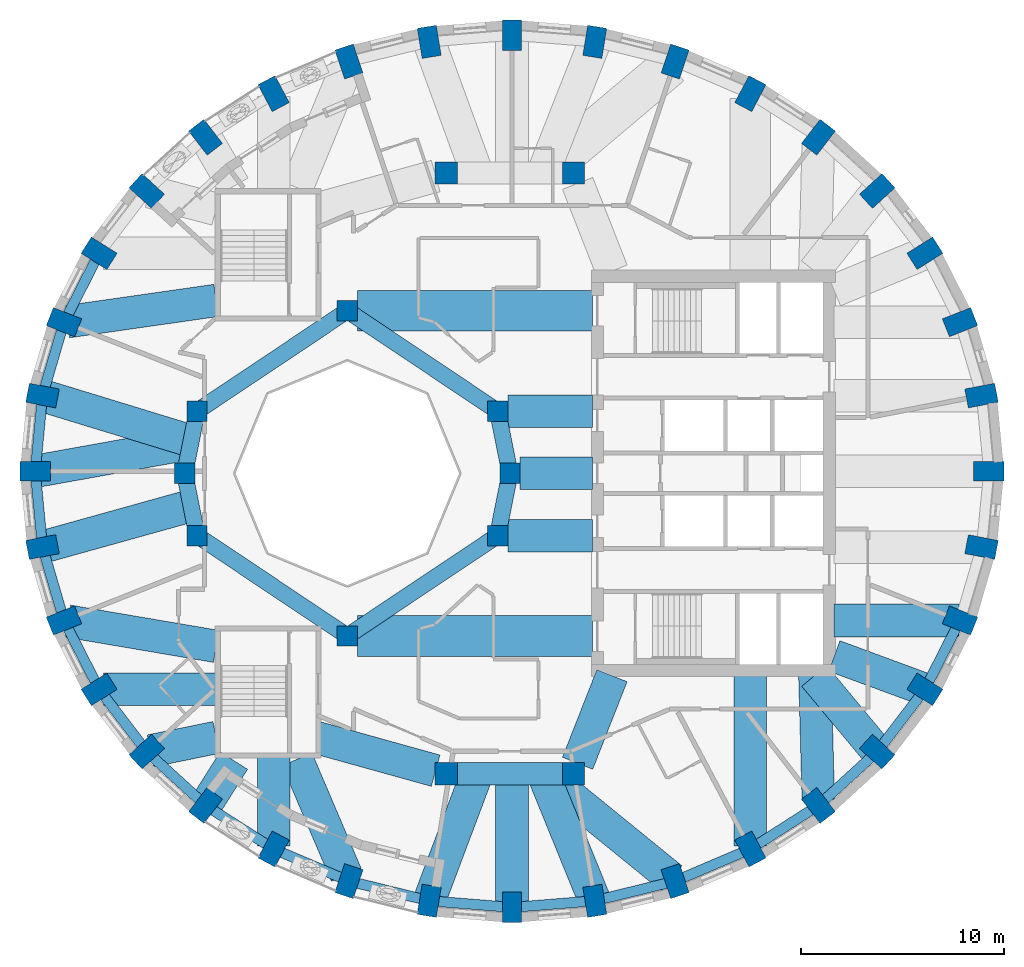
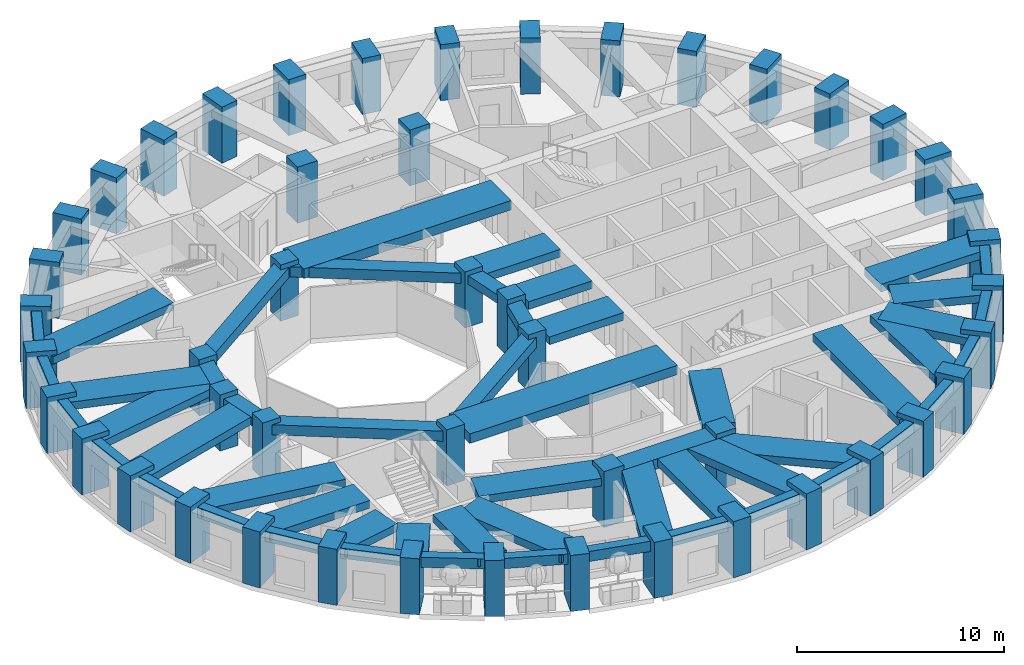
# One storey, part 1 of 12: 54 beams, 48 columns.
"""IFC4 building model written with IfcOpenShell, lengths in metres."""

from ifc_helpers import new_model, si_unit, direction, frame, origin, origin_2d, place, context, subcontext, project, spatial, rectangle, extrude, material, material_profile, profile_set, type_object, element, save


model = new_model("IFC4")

# Units and contexts
model_context = context("Model", 3, precision=1e-05, world=origin(), true_north=direction((0.0, 1.0)))
body_context = subcontext(model_context, "Body", "Model", "MODEL_VIEW")
ifc_project = project(units=[si_unit("LENGTHUNIT", "METRE"), si_unit("AREAUNIT", "SQUARE_METRE"), si_unit("VOLUMEUNIT", "CUBIC_METRE"), si_unit("PLANEANGLEUNIT", "RADIAN"), si_unit("MASSUNIT", "GRAM", prefix="KILO")], contexts=[model_context])

# Site, building, storey
site_placement = place(None, origin())
site = spatial("IfcSite", under=ifc_project, at=site_placement, CompositionType="ELEMENT")
building_placement = place(site_placement, origin())
building = spatial("IfcBuilding", under=site, at=building_placement, Name="Taillehof Tower", CompositionType="ELEMENT")
storey_placement = place(building_placement, frame((0.0, 0.0, 171.5)))
storey = spatial("IfcBuildingStorey", under=building, at=storey_placement, Name="L48", CompositionType="ELEMENT", Elevation=171.5)

# Columns
ifc_material_1 = material(Name="Concrete C50/60", Category="concrete")
ifc_material_profile_1 = material_profile(ifc_material_1, rectangle(XDim=1.0, YDim=1.0, at=origin_2d()), Name="RC 1000x1000")
ifc_profile_set_1 = profile_set([ifc_material_profile_1], Name="Concrete C50/60")
column_type_1 = type_object("IfcColumnType", Name="Atrium ring column C50/60 1000x1000", PredefinedType="COLUMN", material=ifc_profile_set_1)
for number, where, z_axis, x_axis, name in (
    (1, (0.0, 0.0, 0.0), (0.0, 0.0, 1.0), (1.0, 0.0, 0.0), "Column AC01"),
    (2, (-0.60888671875, 3.0615234375, 0.0), (0.0, 0.0, 1.0), (1.0, 0.0, 0.0), "Column AC02"),
    (3, (-8.0, 8.0, 0.0), (0.0, 0.0, 1.0), (1.0, 0.0, 0.0), "Column AC05"),
    (4, (-15.39111328125, 3.0615234375, 0.0), (0.0, 0.0, 1.0), (1.0, 0.0, 0.0), "Column AC08"),
    (5, (-16.0, 0.0, 0.0), (0.0, 0.0, 1.0), (1.0, 0.0, 0.0), "Column AC09"),
    (6, (-15.39111328125, -3.0615234375, 0.0), (0.0, 0.0, 1.0), (1.0, 0.0, 0.0), "Column AC10"),
    (7, (-8.0, -8.0, 0.0), (0.0, 0.0, 1.0), (1.0, 0.0, 0.0), "Column AC13"),
    (8, (-0.60888671875, -3.0615234375, 0.0), (0.0, 0.0, 1.0), (1.0, 0.0, 0.0), "Column AC16"),
):
    element("IfcColumn", number, at=place(storey_placement, frame(where, z_axis=z_axis, x_axis=x_axis)), inside=storey, type_object=column_type_1, Name=name, PredefinedType="COLUMN", context=body_context, shape_type="SweptSolid", body=[
        extrude(rectangle(XDim=1.0, YDim=1.0, at=origin_2d()), origin(), (0.0, 0.0, 1.0), 3.300048828125),
    ])
ifc_material_2 = material(Name="Concrete C50/60", Category="concrete")
ifc_material_profile_2 = material_profile(ifc_material_2, rectangle(XDim=1.10009765625, YDim=1.10009765625, at=origin_2d()), Name="RC 1100x1100")
ifc_profile_set_2 = profile_set([ifc_material_profile_2], Name="Concrete C50/60")
column_type_2 = type_object("IfcColumnType", Name="Mid-ring column C50/60 1100x1100", PredefinedType="COLUMN", material=ifc_profile_set_2)
for number, where, z_axis, x_axis, name in (
    (9, (3.125732421875, 14.772216796875, 0.0), (0.0, 0.0, 1.0), (1.0, 0.0, 0.0), "Column MC05"),
    (10, (-3.125732421875, 14.772216796875, 0.0), (0.0, 0.0, 1.0), (1.0, 0.0, 0.0), "Column MC06"),
    (11, (-3.125732421875, -14.772216796875, 0.0), (0.0, 0.0, 1.0), (1.0, 0.0, 0.0), "Column MC14"),
    (12, (3.125732421875, -14.772216796875, 0.0), (0.0, 0.0, 1.0), (1.0, 0.0, 0.0), "Column MC15"),
):
    element("IfcColumn", number, at=place(storey_placement, frame(where, z_axis=z_axis, x_axis=x_axis)), inside=storey, type_object=column_type_2, Name=name, PredefinedType="COLUMN", context=body_context, shape_type="SweptSolid", body=[
        extrude(rectangle(XDim=1.10009765625, YDim=1.10009765625, at=origin_2d()), origin(), (0.0, 0.0, 1.0), 3.300048828125),
    ])
ifc_material_3 = material(Name="Concrete C60/75", Category="concrete")
ifc_material_profile_3 = material_profile(ifc_material_3, rectangle(XDim=1.5, YDim=0.949951171875, at=origin_2d()), Name="RC 1500x950")
ifc_profile_set_3 = profile_set([ifc_material_profile_3], Name="Concrete C60/75")
column_type_3 = type_object("IfcColumnType", Name="Ring column C60/75 1500x950", PredefinedType="COLUMN", material=ifc_profile_set_3)
for number, where, z_axis, x_axis, name in (
    (13, (23.550048828125, 0.10009765625, 0.0), (0.0, 0.0, 1.0), (1.0, 0.0, 0.0), "Ring column RC01"),
    (14, (23.19384765625, 3.82470703125, 0.0), (0.0, 0.0, 1.0), (0.98202380309, 0.188757119508, 0.0), "Ring column RC02"),
    (15, (22.1357421875, 7.436279296875, 0.0), (0.0, 0.0, 1.0), (0.929511471762, 0.368793199317, 0.0), "Ring column RC03"),
    (16, (20.408203125, 10.824951171875, 0.0), (0.0, 0.0, 1.0), (0.846334224225, 0.532652213837, 0.0), "Ring column RC04"),
    (17, (18.063720703125, 13.8876953125, 0.0), (0.0, 0.0, 1.0), (0.7378786352, 0.674933418727, 0.0), "Ring column RC05"),
    (18, (15.17333984375, 16.53173828125, 0.0), (0.0, 0.0, 1.0), (0.609970500644, 0.792424121506, 0.0), "Ring column RC06"),
    (19, (11.824951171875, 18.67626953125, 0.0), (0.0, 0.0, 1.0), (0.468042101717, 0.883706167807, 0.0), "Ring column RC07"),
    (20, (8.120361328125, 20.25634765625, 0.0), (0.0, 0.0, 1.0), (0.316702950283, 0.948524771043, 0.0), "Ring column RC08"),
    (21, (4.172119140625, 21.22412109375, 0.0), (0.0, 0.0, 1.0), (0.159679090777, 0.987168976401, 0.0), "Ring column RC09"),
    (22, (0.10009765625, 21.550048828125, 0.0), (0.0, 0.0, 1.0), (0.0, 1.0, 0.0), "Ring column RC10"),
    (23, (-3.97216796875, 21.22412109375, 0.0), (0.0, 0.0, 1.0), (-0.159679090777, 0.987168976401, 0.0), "Ring column RC11"),
    (24, (-7.92041015625, 20.25634765625, 0.0), (0.0, 0.0, 1.0), (-0.316702950283, 0.948524771043, 0.0), "Ring column RC12"),
    (25, (-11.625, 18.67626953125, 0.0), (0.0, 0.0, 1.0), (-0.468042101717, 0.883706167807, 0.0), "Ring column RC13"),
    (26, (-14.973388671875, 16.53173828125, 0.0), (0.0, 0.0, 1.0), (-0.609970500644, 0.792424121506, 0.0), "Ring column RC14"),
    (27, (-17.86376953125, 13.8876953125, 0.0), (0.0, 0.0, 1.0), (-0.7378786352, 0.674933418727, 0.0), "Ring column RC15"),
    (28, (-20.208251953125, 10.824951171875, 0.0), (0.0, 0.0, 1.0), (-0.846334224225, 0.532652213837, 0.0), "Ring column RC16"),
    (29, (-21.935791015625, 7.436279296875, 0.0), (0.0, 0.0, 1.0), (-0.929511471762, 0.368793199317, 0.0), "Ring column RC17"),
    (30, (-22.99365234375, 3.82470703125, 0.0), (0.0, 0.0, 1.0), (-0.98202380309, 0.188757119508, 0.0), "Ring column RC18"),
    (31, (-23.35009765625, 0.10009765625, 0.0), (0.0, 0.0, 1.0), (-1.0, 0.0, 0.0), "Ring column RC19"),
    (32, (-22.99365234375, -3.624755859375, 0.0), (0.0, 0.0, 1.0), (-0.98202380309, -0.188757119508, 0.0), "Ring column RC20"),
    (33, (-21.935791015625, -7.236328125, 0.0), (0.0, 0.0, 1.0), (-0.929511471762, -0.368793199317, 0.0), "Ring column RC21"),
    (34, (-20.208251953125, -10.625, 0.0), (0.0, 0.0, 1.0), (-0.846334224225, -0.532652213837, 0.0), "Ring column RC22"),
    (35, (-17.86376953125, -13.687744140625, 0.0), (0.0, 0.0, 1.0), (-0.7378786352, -0.674933418727, 0.0), "Ring column RC23"),
    (36, (-14.973388671875, -16.33154296875, 0.0), (0.0, 0.0, 1.0), (-0.609970500644, -0.792424121506, 0.0), "Ring column RC24"),
    (37, (-11.625, -18.476318359375, 0.0), (0.0, 0.0, 1.0), (-0.468042101717, -0.883706167807, 0.0), "Ring column RC25"),
    (38, (-7.92041015625, -20.056396484375, 0.0), (0.0, 0.0, 1.0), (-0.316702950283, -0.948524771043, 0.0), "Ring column RC26"),
    (39, (-3.97216796875, -21.024169921875, 0.0), (0.0, 0.0, 1.0), (-0.159679090777, -0.987168976401, 0.0), "Ring column RC27"),
    (40, (0.10009765625, -21.35009765625, 0.0), (0.0, 0.0, 1.0), (0.0, -1.0, 0.0), "Ring column RC28"),
    (41, (4.172119140625, -21.024169921875, 0.0), (0.0, 0.0, 1.0), (0.159679090777, -0.987168976401, 0.0), "Ring column RC29"),
    (42, (8.120361328125, -20.056396484375, 0.0), (0.0, 0.0, 1.0), (0.316702950283, -0.948524771043, 0.0), "Ring column RC30"),
    (43, (11.824951171875, -18.476318359375, 0.0), (0.0, 0.0, 1.0), (0.468042101717, -0.883706167807, 0.0), "Ring column RC31"),
    (44, (15.17333984375, -16.33154296875, 0.0), (0.0, 0.0, 1.0), (0.609970500644, -0.792424121506, 0.0), "Ring column RC32"),
    (45, (18.063720703125, -13.687744140625, 0.0), (0.0, 0.0, 1.0), (0.7378786352, -0.674933418727, 0.0), "Ring column RC33"),
    (46, (20.408203125, -10.625, 0.0), (0.0, 0.0, 1.0), (0.846334224225, -0.532652213837, 0.0), "Ring column RC34"),
    (47, (22.1357421875, -7.236328125, 0.0), (0.0, 0.0, 1.0), (0.929511471762, -0.368793199317, 0.0), "Ring column RC35"),
    (48, (23.19384765625, -3.624755859375, 0.0), (0.0, 0.0, 1.0), (0.98202380309, -0.188757119508, 0.0), "Ring column RC36"),
):
    element("IfcColumn", number, at=place(storey_placement, frame(where, z_axis=z_axis, x_axis=x_axis)), inside=storey, type_object=column_type_3, Name=name, PredefinedType="COLUMN", context=body_context, shape_type="SweptSolid", body=[
        extrude(rectangle(XDim=1.5, YDim=0.949951171875, at=origin_2d()), origin(), (0.0, 0.0, 1.0), 3.300048828125),
    ])

# Beams
ifc_material_4 = material(Name="Concrete C50/60", Category="concrete")
ifc_material_profile_4 = material_profile(ifc_material_4, rectangle(XDim=0.800048828125, YDim=0.5, at=origin_2d()), Name="RC 800x500")
ifc_profile_set_4 = profile_set([ifc_material_profile_4], Name="Concrete C50/60")
beam_type_1 = type_object("IfcBeamType", Name="Atrium ring beam C50/60 800x500", PredefinedType="BEAM", material=ifc_profile_set_4)
for number, where, z_axis, x_axis, name in (
    (49, (0.0, 0.0, 2.77001953125), (-0.195063155143, 0.980790683839, 0.0), (-0.980790683839, -0.195063155143, 0.0), "Atrium ring beam AB01"),
    (50, (-15.39111328125, 3.0615234375, 2.77001953125), (-0.195063155143, -0.980790683839, 0.0), (0.980790683839, -0.195063155143, 0.0), "Atrium ring beam AB04"),
    (51, (-16.0, 0.0, 2.77001953125), (0.195063155143, -0.980790683839, 0.0), (0.980790683839, 0.195063155143, 0.0), "Atrium ring beam AB05"),
    (52, (-0.60888671875, -3.0615234375, 2.77001953125), (0.195063155143, 0.980790683839, 0.0), (-0.980790683839, 0.195063155143, 0.0), "Atrium ring beam AB08"),
):
    element("IfcBeam", number, at=place(storey_placement, frame(where, z_axis=z_axis, x_axis=x_axis)), inside=storey, type_object=beam_type_1, Name=name, PredefinedType="BEAM", context=body_context, shape_type="SweptSolid", body=[
        extrude(rectangle(XDim=0.800048828125, YDim=0.5, at=origin_2d()), origin(), (0.0, 0.0, 1.0), 3.12158203125),
    ])
ifc_material_5 = material(Name="Concrete C50/60", Category="concrete")
ifc_material_profile_5 = material_profile(ifc_material_5, rectangle(XDim=0.800048828125, YDim=0.60009765625, at=origin_2d()), Name="RC 800x600")
ifc_profile_set_5 = profile_set([ifc_material_profile_5], Name="Concrete C50/60")
beam_type_2 = type_object("IfcBeamType", Name="Atrium ring beam C50/60 800x600", PredefinedType="BEAM", material=ifc_profile_set_5)
for number, where, z_axis, x_axis, name in (
    (53, (-0.60888671875, 3.0615234375, 2.719970703125), (-0.831475195687, 0.555561876804, 0.0), (-0.555561876804, -0.831475195687, 0.0), "Atrium ring beam AB02"),
    (54, (-8.0, 8.0, 2.719970703125), (-0.831475195687, -0.555561876804, 0.0), (0.555561876804, -0.831475195687, 0.0), "Atrium ring beam AB03"),
    (55, (-15.39111328125, -3.0615234375, 2.719970703125), (0.831475195687, -0.555561876804, 0.0), (0.555561876804, 0.831475195687, 0.0), "Atrium ring beam AB06"),
    (56, (-8.0, -8.0, 2.719970703125), (0.831475195687, 0.555561876804, 0.0), (-0.555561876804, 0.831475195687, 0.0), "Atrium ring beam AB07"),
):
    element("IfcBeam", number, at=place(storey_placement, frame(where, z_axis=z_axis, x_axis=x_axis)), inside=storey, type_object=beam_type_2, Name=name, PredefinedType="BEAM", context=body_context, shape_type="SweptSolid", body=[
        extrude(rectangle(XDim=0.800048828125, YDim=0.60009765625, at=origin_2d()), origin(), (0.0, 0.0, 1.0), 8.88916015625),
    ])
ifc_material_6 = material(Name="Concrete C50/60", Category="concrete")
ifc_material_profile_6 = material_profile(ifc_material_6, rectangle(XDim=1.10009765625, YDim=0.60009765625, at=origin_2d()), Name="RC 1100x600")
ifc_profile_set_6 = profile_set([ifc_material_profile_6], Name="Concrete C50/60")
beam_type_3 = type_object("IfcBeamType", Name="Mid-ring beam C50/60 1100x600", PredefinedType="BEAM", material=ifc_profile_set_6)
beam_1_placement = place(storey_placement, frame((-3.125732421875, -14.772216796875, 2.719970703125), z_axis=(1.0, 0.0, 0.0), x_axis=(0.0, 1.0, 0.0)))
element("IfcBeam", 57, at=beam_1_placement, inside=storey, type_object=beam_type_3, Name="Mid-ring beam MB02", PredefinedType="BEAM", context=body_context, shape_type="SweptSolid", body=[
    extrude(rectangle(XDim=1.10009765625, YDim=0.60009765625, at=origin_2d()), origin(), (0.0, 0.0, 1.0), 6.25146484375),
])
ifc_material_7 = material(Name="Concrete C50/60", Category="concrete")
ifc_material_profile_7 = material_profile(ifc_material_7, rectangle(XDim=1.60009765625, YDim=0.449951171875, at=origin_2d()), Name="RC 1600x450")
ifc_profile_set_7 = profile_set([ifc_material_profile_7], Name="Concrete C50/60")
beam_type_4 = type_object("IfcBeamType", Name="Radial band beam C50/60 1600x450", PredefinedType="BEAM", material=ifc_profile_set_7)
beam_2_placement = place(storey_placement, frame((-21.766845703125, 7.46044921875, 2.794921875), z_axis=(0.989922388732, 0.141610961042, 0.0), x_axis=(-0.141610961042, 0.989922388732, 0.0)))
element("IfcBeam", 58, at=beam_2_placement, inside=storey, type_object=beam_type_4, Name="Radial band beam RB17", PredefinedType="BEAM", context=body_context, shape_type="SweptSolid", body=[
    extrude(rectangle(XDim=1.60009765625, YDim=0.449951171875, at=origin_2d()), origin(), (0.0, 0.0, 1.0), 7.390869140625),
])
beam_3_placement = place(storey_placement, frame((-22.99365234375, 3.82470703125, 2.794921875), z_axis=(0.956324293447, -0.292307792854, 0.0), x_axis=(0.292307792854, 0.956324293447, 0.0)))
element("IfcBeam", 59, at=beam_3_placement, inside=storey, type_object=beam_type_4, Name="Radial band beam RB18", PredefinedType="BEAM", context=body_context, shape_type="SweptSolid", body=[
    extrude(rectangle(XDim=1.60009765625, YDim=0.449951171875, at=origin_2d()), origin(), (0.0, 0.0, 1.0), 7.643798828125),
])
beam_4_placement = place(storey_placement, frame((-23.35009765625, 0.10009765625, 2.794921875), z_axis=(0.984286763882, 0.176577366745, 0.0), x_axis=(-0.176577366745, 0.984286763882, 0.0)))
element("IfcBeam", 60, at=beam_4_placement, inside=storey, type_object=beam_type_4, Name="Radial band beam RB19", PredefinedType="BEAM", context=body_context, shape_type="SweptSolid", body=[
    extrude(rectangle(XDim=1.60009765625, YDim=0.449951171875, at=origin_2d()), origin(), (0.0, 0.0, 1.0), 7.764892578125),
])
beam_5_placement = place(storey_placement, frame((-22.99365234375, -3.624755859375, 2.794921875), z_axis=(0.96338688135, 0.268115118639, 0.0), x_axis=(-0.268115118639, 0.96338688135, 0.0)))
element("IfcBeam", 61, at=beam_5_placement, inside=storey, type_object=beam_type_4, Name="Radial band beam RB20", PredefinedType="BEAM", context=body_context, shape_type="SweptSolid", body=[
    extrude(rectangle(XDim=1.60009765625, YDim=0.449951171875, at=origin_2d()), origin(), (0.0, 0.0, 1.0), 7.587890625),
])
beam_6_placement = place(storey_placement, frame((-21.744140625, -7.268798828125, 2.794921875), z_axis=(0.985864460395, -0.167544817079, 0.0), x_axis=(0.167544817079, 0.985864460395, 0.0)))
element("IfcBeam", 62, at=beam_6_placement, inside=storey, type_object=beam_type_4, Name="Radial band beam RB21", PredefinedType="BEAM", context=body_context, shape_type="SweptSolid", body=[
    extrude(rectangle(XDim=1.60009765625, YDim=0.449951171875, at=origin_2d()), origin(), (0.0, 0.0, 1.0), 7.39794921875),
])
beam_7_placement = place(storey_placement, frame((-19.9990234375, -10.625, 2.794921875), z_axis=(1.0, 0.0, 0.0), x_axis=(0.0, 1.0, 0.0)))
element("IfcBeam", 63, at=beam_7_placement, inside=storey, type_object=beam_type_4, Name="Radial band beam RB22", PredefinedType="BEAM", context=body_context, shape_type="SweptSolid", body=[
    extrude(rectangle(XDim=1.60009765625, YDim=0.449951171875, at=origin_2d()), origin(), (0.0, 0.0, 1.0), 5.549072265625),
])
beam_8_placement = place(storey_placement, frame((-17.678955078125, -13.64990234375, 2.794921875), z_axis=(0.979736748385, 0.200289550059, 0.0), x_axis=(-0.200289550059, 0.979736748385, 0.0)))
element("IfcBeam", 64, at=beam_8_placement, inside=storey, type_object=beam_type_4, Name="Radial band beam RB23", PredefinedType="BEAM", context=body_context, shape_type="SweptSolid", body=[
    extrude(rectangle(XDim=1.60009765625, YDim=0.449951171875, at=origin_2d()), origin(), (0.0, 0.0, 1.0), 3.294677734375),
])
beam_9_placement = place(storey_placement, frame((-14.973388671875, -16.33154296875, 2.794921875), z_axis=(0.534207803896, 0.845353193794, 0.0), x_axis=(-0.845353193794, 0.534207803896, 0.0)))
element("IfcBeam", 65, at=beam_9_placement, inside=storey, type_object=beam_type_4, Name="Radial band beam RB24", PredefinedType="BEAM", context=body_context, shape_type="SweptSolid", body=[
    extrude(rectangle(XDim=1.60009765625, YDim=0.449951171875, at=origin_2d()), origin(), (0.0, 0.0, 1.0), 2.608154296875),
])
beam_10_placement = place(storey_placement, frame((-11.625, -18.33642578125, 2.794921875), z_axis=(0.0, 1.0, 0.0), x_axis=(-1.0, 0.0, 0.0)))
element("IfcBeam", 66, at=beam_10_placement, inside=storey, type_object=beam_type_4, Name="Radial band beam RB25", PredefinedType="BEAM", context=body_context, shape_type="SweptSolid", body=[
    extrude(rectangle(XDim=1.60009765625, YDim=0.449951171875, at=origin_2d()), origin(), (0.0, 0.0, 1.0), 4.386474609375),
])
beam_11_placement = place(storey_placement, frame((-8.049072265625, -19.75390625, 2.794921875), z_axis=(-0.391879389257, 0.9200166, 0.0), x_axis=(-0.9200166, -0.391879389257, 0.0)))
element("IfcBeam", 67, at=beam_11_placement, inside=storey, type_object=beam_type_4, Name="Radial band beam RB26", PredefinedType="BEAM", context=body_context, shape_type="SweptSolid", body=[
    extrude(rectangle(XDim=1.60009765625, YDim=0.449951171875, at=origin_2d()), origin(), (0.0, 0.0, 1.0), 6.18505859375),
])
beam_12_placement = place(storey_placement, frame((-3.97216796875, -21.024169921875, 2.794921875), z_axis=(0.351379850477, 0.936232984186, 0.0), x_axis=(-0.936232984186, 0.351379850477, 0.0)))
element("IfcBeam", 68, at=beam_12_placement, inside=storey, type_object=beam_type_4, Name="Radial band beam RB27", PredefinedType="BEAM", context=body_context, shape_type="SweptSolid", body=[
    extrude(rectangle(XDim=1.60009765625, YDim=0.449951171875, at=origin_2d()), origin(), (0.0, 0.0, 1.0), 6.677734375),
])
beam_13_placement = place(storey_placement, frame((0.10009765625, -21.35009765625, 2.794921875), z_axis=(0.0, 1.0, 0.0), x_axis=(-1.0, 0.0, 0.0)))
element("IfcBeam", 69, at=beam_13_placement, inside=storey, type_object=beam_type_4, Name="Radial band beam RB28", PredefinedType="BEAM", context=body_context, shape_type="SweptSolid", body=[
    extrude(rectangle(XDim=1.60009765625, YDim=0.449951171875, at=origin_2d()), origin(), (0.0, 0.0, 1.0), 6.577880859375),
])
beam_14_placement = place(storey_placement, frame((4.172119140625, -21.024169921875, 2.794921875), z_axis=(-0.377207279938, 0.926128861424, 0.0), x_axis=(-0.926128861424, -0.377207279938, 0.0)))
element("IfcBeam", 70, at=beam_14_placement, inside=storey, type_object=beam_type_4, Name="Radial band beam RB29", PredefinedType="BEAM", context=body_context, shape_type="SweptSolid", body=[
    extrude(rectangle(XDim=1.60009765625, YDim=0.449951171875, at=origin_2d()), origin(), (0.0, 0.0, 1.0), 6.750732421875),
])
beam_15_placement = place(storey_placement, frame((7.95556640625, -19.92236328125, 2.794921875), z_axis=(-0.775687012842, 0.631117784655, 0.0), x_axis=(-0.631117784655, -0.775687012842, 0.0)))
element("IfcBeam", 71, at=beam_15_placement, inside=storey, type_object=beam_type_4, Name="Radial band beam RB30", PredefinedType="BEAM", context=body_context, shape_type="SweptSolid", body=[
    extrude(rectangle(XDim=1.60009765625, YDim=0.449951171875, at=origin_2d()), origin(), (0.0, 0.0, 1.0), 8.048583984375),
])
beam_16_placement = place(storey_placement, frame((11.824951171875, -18.33642578125, 2.794921875), z_axis=(0.0, 1.0, 0.0), x_axis=(-1.0, 0.0, 0.0)))
element("IfcBeam", 72, at=beam_16_placement, inside=storey, type_object=beam_type_4, Name="Radial band beam RB31", PredefinedType="BEAM", context=body_context, shape_type="SweptSolid", body=[
    extrude(rectangle(XDim=1.60009765625, YDim=0.449951171875, at=origin_2d()), origin(), (0.0, 0.0, 1.0), 8.386474609375),
])
beam_17_placement = place(storey_placement, frame((15.166015625, -16.060546875, 2.794921875), z_axis=(-0.027397917621, 0.999624606595, 0.0), x_axis=(-0.999624606595, -0.027397917621, 0.0)))
element("IfcBeam", 73, at=beam_17_placement, inside=storey, type_object=beam_type_4, Name="Radial band beam RB32", PredefinedType="BEAM", context=body_context, shape_type="SweptSolid", body=[
    extrude(rectangle(XDim=1.60009765625, YDim=0.449951171875, at=origin_2d()), origin(), (0.0, 0.0, 1.0), 6.11279296875),
])
beam_18_placement = place(storey_placement, frame((18.063720703125, -13.687744140625, 2.794921875), z_axis=(-0.639018777093, 0.769191135234, 0.0), x_axis=(-0.769191135234, -0.639018777093, 0.0)))
element("IfcBeam", 74, at=beam_18_placement, inside=storey, type_object=beam_type_4, Name="Radial band beam RB33", PredefinedType="BEAM", context=body_context, shape_type="SweptSolid", body=[
    extrude(rectangle(XDim=1.60009765625, YDim=0.449951171875, at=origin_2d()), origin(), (0.0, 0.0, 1.0), 4.844482421875),
])
beam_19_placement = place(storey_placement, frame((20.408203125, -10.625, 2.794921875), z_axis=(-0.938275503033, 0.345888826661, 0.0), x_axis=(-0.345888826661, -0.938275503033, 0.0)))
element("IfcBeam", 75, at=beam_19_placement, inside=storey, type_object=beam_type_4, Name="Radial band beam RB34", PredefinedType="BEAM", context=body_context, shape_type="SweptSolid", body=[
    extrude(rectangle(XDim=1.60009765625, YDim=0.449951171875, at=origin_2d()), origin(), (0.0, 0.0, 1.0), 4.748046875),
])
beam_20_placement = place(storey_placement, frame((22.08642578125, -7.236328125, 2.794921875), z_axis=(-1.0, 0.0, 0.0), x_axis=(0.0, -1.0, 0.0)))
element("IfcBeam", 76, at=beam_20_placement, inside=storey, type_object=beam_type_4, Name="Radial band beam RB35", PredefinedType="BEAM", context=body_context, shape_type="SweptSolid", body=[
    extrude(rectangle(XDim=1.60009765625, YDim=0.449951171875, at=origin_2d()), origin(), (0.0, 0.0, 1.0), 6.136474609375),
])
beam_21_placement = place(storey_placement, frame((0.5, 0.0, 2.794921875), z_axis=(1.0, 0.0, 0.0), x_axis=(0.0, 1.0, 0.0)))
element("IfcBeam", 77, at=beam_21_placement, inside=storey, type_object=beam_type_4, Name="Inner band beam IB101", PredefinedType="BEAM", context=body_context, shape_type="SweptSolid", body=[
    extrude(rectangle(XDim=1.60009765625, YDim=0.449951171875, at=origin_2d()), origin(), (0.0, 0.0, 1.0), 3.550048828125),
])
for number, where, z_axis, x_axis, name in (
    (78, (-0.10888671875, 3.0615234375, 2.794921875), (1.0, 0.0, 0.0), (0.0, 1.0, 0.0), "Inner band beam IB102"),
    (79, (-0.10888671875, -3.0615234375, 2.794921875), (1.0, 0.0, 0.0), (0.0, 1.0, 0.0), "Inner band beam IB116"),
):
    element("IfcBeam", number, at=place(storey_placement, frame(where, z_axis=z_axis, x_axis=x_axis)), inside=storey, type_object=beam_type_4, Name=name, PredefinedType="BEAM", context=body_context, shape_type="SweptSolid", body=[
        extrude(rectangle(XDim=1.60009765625, YDim=0.449951171875, at=origin_2d()), origin(), (0.0, 0.0, 1.0), 4.158935546875),
    ])
beam_22_placement = place(storey_placement, frame((-3.655517578125, -14.624755859375, 2.794921875), z_axis=(-0.963459369536, 0.267854518821, 0.0), x_axis=(-0.267854518821, -0.963459369536, 0.0)))
element("IfcBeam", 80, at=beam_22_placement, inside=storey, type_object=beam_type_4, Name="Inner band beam IB214", PredefinedType="BEAM", context=body_context, shape_type="SweptSolid", body=[
    extrude(rectangle(XDim=1.60009765625, YDim=0.449951171875, at=origin_2d()), origin(), (0.0, 0.0, 1.0), 6.096923828125),
])
beam_23_placement = place(storey_placement, frame((3.32666015625, -14.26025390625, 2.794921875), z_axis=(0.365588707223, 0.930776502255, 0.0), x_axis=(-0.930776502255, 0.365588707223, 0.0)))
element("IfcBeam", 81, at=beam_23_placement, inside=storey, type_object=beam_type_4, Name="Inner band beam IB215", PredefinedType="BEAM", context=body_context, shape_type="SweptSolid", body=[
    extrude(rectangle(XDim=1.60009765625, YDim=0.449951171875, at=origin_2d()), origin(), (0.0, 0.0, 1.0), 4.627197265625),
])
ifc_material_8 = material(Name="Concrete C50/60", Category="concrete")
ifc_material_profile_8 = material_profile(ifc_material_8, rectangle(XDim=2.0, YDim=0.550048828125, at=origin_2d()), Name="RC 2000x550")
ifc_profile_set_8 = profile_set([ifc_material_profile_8], Name="Concrete C50/60")
beam_type_5 = type_object("IfcBeamType", Name="Radial band beam C50/60 2000x550", PredefinedType="BEAM", material=ifc_profile_set_8)
for number, where, z_axis, x_axis, name in (
    (82, (-7.5, 8.0, 2.7451171875), (1.0, 0.0, 0.0), (0.0, 1.0, 0.0), "Inner band beam IB105"),
    (83, (-7.5, -8.0, 2.7451171875), (1.0, 0.0, 0.0), (0.0, 1.0, 0.0), "Inner band beam IB113"),
):
    element("IfcBeam", number, at=place(storey_placement, frame(where, z_axis=z_axis, x_axis=x_axis)), inside=storey, type_object=beam_type_5, Name=name, PredefinedType="BEAM", context=body_context, shape_type="SweptSolid", body=[
        extrude(rectangle(XDim=2.0, YDim=0.550048828125, at=origin_2d()), origin(), (0.0, 0.0, 1.0), 11.550048828125),
    ])
ifc_material_9 = material(Name="Concrete C50/60", Category="concrete")
ifc_material_profile_9 = material_profile(ifc_material_9, rectangle(XDim=0.5, YDim=0.60009765625, at=origin_2d()), Name="RC 500x600")
ifc_profile_set_9 = profile_set([ifc_material_profile_9], Name="Concrete C50/60")
beam_type_6 = type_object("IfcBeamType", Name="Spandrel beam C50/60 500x600", PredefinedType="SPANDREL", material=ifc_profile_set_9)
beam_24_placement = place(storey_placement, frame((-20.208251953125, 10.824951171875, 2.719970703125), z_axis=(-0.454183451696, -0.890908183937, 0.0), x_axis=(0.890908183937, -0.454183451696, 0.0)))
element("IfcBeam", 84, at=beam_24_placement, inside=storey, type_object=beam_type_6, Name="Spandrel beam SB16", PredefinedType="SPANDREL", context=body_context, shape_type="SweptSolid", body=[
    extrude(rectangle(XDim=0.5, YDim=0.60009765625, at=origin_2d()), origin(), (0.0, 0.0, 1.0), 3.8037109375),
])
beam_25_placement = place(storey_placement, frame((-21.935791015625, 7.436279296875, 2.719970703125), z_axis=(-0.281098416478, -0.959678946447, 0.0), x_axis=(0.959678946447, -0.281098416478, 0.0)))
element("IfcBeam", 85, at=beam_25_placement, inside=storey, type_object=beam_type_6, Name="Spandrel beam SB17", PredefinedType="SPANDREL", context=body_context, shape_type="SweptSolid", body=[
    extrude(rectangle(XDim=0.5, YDim=0.60009765625, at=origin_2d()), origin(), (0.0, 0.0, 1.0), 3.763427734375),
])
beam_26_placement = place(storey_placement, frame((-22.99365234375, 3.82470703125, 2.719970703125), z_axis=(-0.095264805358, -0.995451966124, 0.0), x_axis=(0.995451966124, -0.095264805358, 0.0)))
element("IfcBeam", 86, at=beam_26_placement, inside=storey, type_object=beam_type_6, Name="Spandrel beam SB18", PredefinedType="SPANDREL", context=body_context, shape_type="SweptSolid", body=[
    extrude(rectangle(XDim=0.5, YDim=0.60009765625, at=origin_2d()), origin(), (0.0, 0.0, 1.0), 3.74169921875),
])
beam_27_placement = place(storey_placement, frame((-23.35009765625, 0.10009765625, 2.719970703125), z_axis=(0.095258618013, -0.995452558234, 0.0), x_axis=(0.995452558234, 0.095258618013, 0.0)))
element("IfcBeam", 87, at=beam_27_placement, inside=storey, type_object=beam_type_6, Name="Spandrel beam SB19", PredefinedType="SPANDREL", context=body_context, shape_type="SweptSolid", body=[
    extrude(rectangle(XDim=0.5, YDim=0.60009765625, at=origin_2d()), origin(), (0.0, 0.0, 1.0), 3.741943359375),
])
beam_28_placement = place(storey_placement, frame((-22.99365234375, -3.624755859375, 2.719970703125), z_axis=(0.281098416478, -0.959678946447, 0.0), x_axis=(0.959678946447, 0.281098416478, 0.0)))
element("IfcBeam", 88, at=beam_28_placement, inside=storey, type_object=beam_type_6, Name="Spandrel beam SB20", PredefinedType="SPANDREL", context=body_context, shape_type="SweptSolid", body=[
    extrude(rectangle(XDim=0.5, YDim=0.60009765625, at=origin_2d()), origin(), (0.0, 0.0, 1.0), 3.763427734375),
])
beam_29_placement = place(storey_placement, frame((-21.935791015625, -7.236328125, 2.719970703125), z_axis=(0.454183451696, -0.890908183937, 0.0), x_axis=(0.890908183937, 0.454183451696, 0.0)))
element("IfcBeam", 89, at=beam_29_placement, inside=storey, type_object=beam_type_6, Name="Spandrel beam SB21", PredefinedType="SPANDREL", context=body_context, shape_type="SweptSolid", body=[
    extrude(rectangle(XDim=0.5, YDim=0.60009765625, at=origin_2d()), origin(), (0.0, 0.0, 1.0), 3.8037109375),
])
beam_30_placement = place(storey_placement, frame((-20.208251953125, -10.625, 2.719970703125), z_axis=(0.60784004271, -0.794059495553, 0.0), x_axis=(0.794059495553, 0.60784004271, 0.0)))
element("IfcBeam", 90, at=beam_30_placement, inside=storey, type_object=beam_type_6, Name="Spandrel beam SB22", PredefinedType="SPANDREL", context=body_context, shape_type="SweptSolid", body=[
    extrude(rectangle(XDim=0.5, YDim=0.60009765625, at=origin_2d()), origin(), (0.0, 0.0, 1.0), 3.857177734375),
])
beam_31_placement = place(storey_placement, frame((-17.86376953125, -13.687744140625, 2.719970703125), z_axis=(0.737880696592, -0.674931165081, 0.0), x_axis=(0.674931165081, 0.737880696592, 0.0)))
element("IfcBeam", 91, at=beam_31_placement, inside=storey, type_object=beam_type_6, Name="Spandrel beam SB23", PredefinedType="SPANDREL", context=body_context, shape_type="SweptSolid", body=[
    extrude(rectangle(XDim=0.5, YDim=0.60009765625, at=origin_2d()), origin(), (0.0, 0.0, 1.0), 3.917236328125),
])
beam_32_placement = place(storey_placement, frame((-14.973388671875, -16.33154296875, 2.719970703125), z_axis=(0.842065054946, -0.539375975771, 0.0), x_axis=(0.539375975771, 0.842065054946, 0.0)))
element("IfcBeam", 92, at=beam_32_placement, inside=storey, type_object=beam_type_6, Name="Spandrel beam SB24", PredefinedType="SPANDREL", context=body_context, shape_type="SweptSolid", body=[
    extrude(rectangle(XDim=0.5, YDim=0.60009765625, at=origin_2d()), origin(), (0.0, 0.0, 1.0), 3.976318359375),
])
beam_33_placement = place(storey_placement, frame((-11.625, -18.476318359375, 2.719970703125), z_axis=(0.919827173659, -0.392323808351, 0.0), x_axis=(0.392323808351, 0.919827173659, 0.0)))
element("IfcBeam", 93, at=beam_33_placement, inside=storey, type_object=beam_type_6, Name="Spandrel beam SB25", PredefinedType="SPANDREL", context=body_context, shape_type="SweptSolid", body=[
    extrude(rectangle(XDim=0.5, YDim=0.60009765625, at=origin_2d()), origin(), (0.0, 0.0, 1.0), 4.027587890625),
])
beam_34_placement = place(storey_placement, frame((-7.92041015625, -20.056396484375, 2.719970703125), z_axis=(0.971248584585, -0.238067610023, 0.0), x_axis=(0.238067610023, 0.971248584585, 0.0)))
element("IfcBeam", 94, at=beam_34_placement, inside=storey, type_object=beam_type_6, Name="Spandrel beam SB26", PredefinedType="SPANDREL", context=body_context, shape_type="SweptSolid", body=[
    extrude(rectangle(XDim=0.5, YDim=0.60009765625, at=origin_2d()), origin(), (0.0, 0.0, 1.0), 4.065185546875),
])
beam_35_placement = place(storey_placement, frame((-3.97216796875, -21.024169921875, 2.719970703125), z_axis=(0.996812427616, -0.079780850771, 0.0), x_axis=(0.079780850771, 0.996812427616, 0.0)))
element("IfcBeam", 95, at=beam_35_placement, inside=storey, type_object=beam_type_6, Name="Spandrel beam SB27", PredefinedType="SPANDREL", context=body_context, shape_type="SweptSolid", body=[
    extrude(rectangle(XDim=0.5, YDim=0.60009765625, at=origin_2d()), origin(), (0.0, 0.0, 1.0), 4.085205078125),
])
beam_36_placement = place(storey_placement, frame((0.10009765625, -21.35009765625, 2.719970703125), z_axis=(0.996812047205, 0.079785603634, 0.0), x_axis=(-0.079785603634, 0.996812047205, 0.0)))
element("IfcBeam", 96, at=beam_36_placement, inside=storey, type_object=beam_type_6, Name="Spandrel beam SB28", PredefinedType="SPANDREL", context=body_context, shape_type="SweptSolid", body=[
    extrude(rectangle(XDim=0.5, YDim=0.60009765625, at=origin_2d()), origin(), (0.0, 0.0, 1.0), 4.0849609375),
])
beam_37_placement = place(storey_placement, frame((4.172119140625, -21.024169921875, 2.719970703125), z_axis=(0.971248584585, 0.238067610023, 0.0), x_axis=(-0.238067610023, 0.971248584585, 0.0)))
element("IfcBeam", 97, at=beam_37_placement, inside=storey, type_object=beam_type_6, Name="Spandrel beam SB29", PredefinedType="SPANDREL", context=body_context, shape_type="SweptSolid", body=[
    extrude(rectangle(XDim=0.5, YDim=0.60009765625, at=origin_2d()), origin(), (0.0, 0.0, 1.0), 4.065185546875),
])
beam_38_placement = place(storey_placement, frame((8.120361328125, -20.056396484375, 2.719970703125), z_axis=(0.919827173659, 0.392323808351, 0.0), x_axis=(-0.392323808351, 0.919827173659, 0.0)))
element("IfcBeam", 98, at=beam_38_placement, inside=storey, type_object=beam_type_6, Name="Spandrel beam SB30", PredefinedType="SPANDREL", context=body_context, shape_type="SweptSolid", body=[
    extrude(rectangle(XDim=0.5, YDim=0.60009765625, at=origin_2d()), origin(), (0.0, 0.0, 1.0), 4.027587890625),
])
beam_39_placement = place(storey_placement, frame((11.824951171875, -18.476318359375, 2.719970703125), z_axis=(0.842065054946, 0.539375975771, 0.0), x_axis=(-0.539375975771, 0.842065054946, 0.0)))
element("IfcBeam", 99, at=beam_39_placement, inside=storey, type_object=beam_type_6, Name="Spandrel beam SB31", PredefinedType="SPANDREL", context=body_context, shape_type="SweptSolid", body=[
    extrude(rectangle(XDim=0.5, YDim=0.60009765625, at=origin_2d()), origin(), (0.0, 0.0, 1.0), 3.976318359375),
])
beam_40_placement = place(storey_placement, frame((15.17333984375, -16.33154296875, 2.719970703125), z_axis=(0.737880696592, 0.674931165081, 0.0), x_axis=(-0.674931165081, 0.737880696592, 0.0)))
element("IfcBeam", 100, at=beam_40_placement, inside=storey, type_object=beam_type_6, Name="Spandrel beam SB32", PredefinedType="SPANDREL", context=body_context, shape_type="SweptSolid", body=[
    extrude(rectangle(XDim=0.5, YDim=0.60009765625, at=origin_2d()), origin(), (0.0, 0.0, 1.0), 3.917236328125),
])
beam_41_placement = place(storey_placement, frame((18.063720703125, -13.687744140625, 2.719970703125), z_axis=(0.60784004271, 0.794059495553, 0.0), x_axis=(-0.794059495553, 0.60784004271, 0.0)))
element("IfcBeam", 101, at=beam_41_placement, inside=storey, type_object=beam_type_6, Name="Spandrel beam SB33", PredefinedType="SPANDREL", context=body_context, shape_type="SweptSolid", body=[
    extrude(rectangle(XDim=0.5, YDim=0.60009765625, at=origin_2d()), origin(), (0.0, 0.0, 1.0), 3.857177734375),
])
beam_42_placement = place(storey_placement, frame((20.408203125, -10.625, 2.719970703125), z_axis=(0.454183451696, 0.890908183937, 0.0), x_axis=(-0.890908183937, 0.454183451696, 0.0)))
element("IfcBeam", 102, at=beam_42_placement, inside=storey, type_object=beam_type_6, Name="Spandrel beam SB34", PredefinedType="SPANDREL", context=body_context, shape_type="SweptSolid", body=[
    extrude(rectangle(XDim=0.5, YDim=0.60009765625, at=origin_2d()), origin(), (0.0, 0.0, 1.0), 3.8037109375),
])

save(model, "model.ifc")
